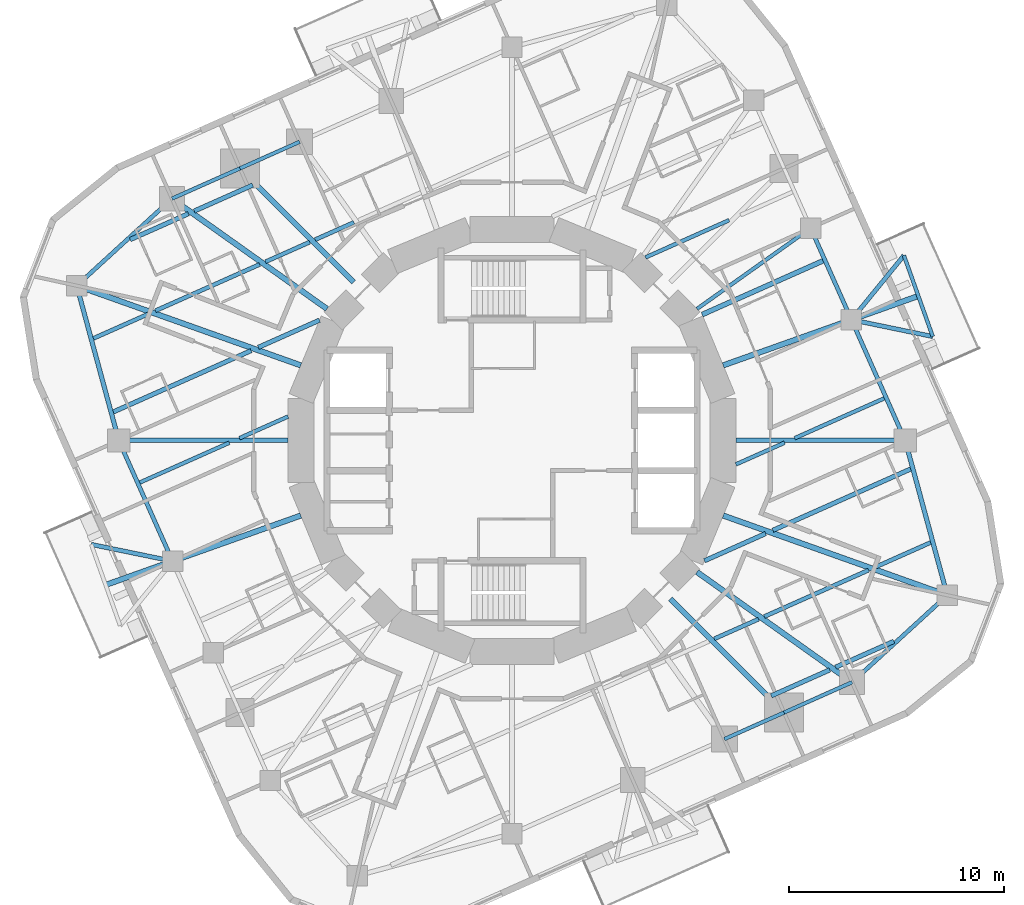
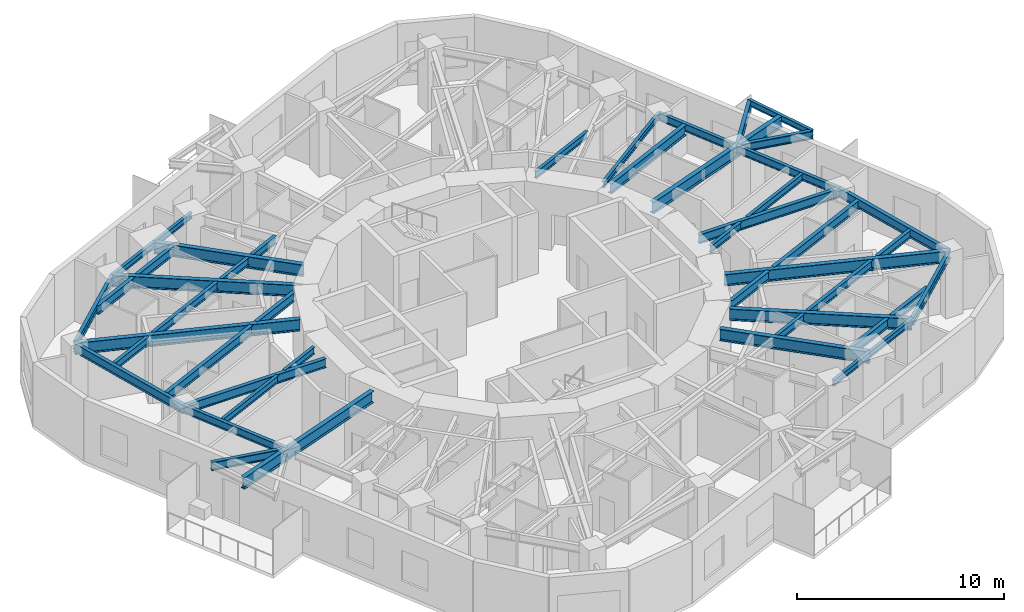
# One storey, part 2 of 12: 47 beams.
"""IFC4 building model written with IfcOpenShell, lengths in metres."""

from ifc_helpers import new_model, si_unit, direction, frame, origin, origin_2d, place, context, subcontext, project, spatial, i_section, extrude, material, material_profile, profile_set, type_object, element, save


model = new_model("IFC4")

# Units and contexts
model_context = context("Model", 3, precision=1e-05, world=origin(), true_north=direction((0.0, 1.0)))
body_context = subcontext(model_context, "Body", "Model", "MODEL_VIEW")
ifc_project = project(units=[si_unit("LENGTHUNIT", "METRE"), si_unit("AREAUNIT", "SQUARE_METRE"), si_unit("VOLUMEUNIT", "CUBIC_METRE"), si_unit("PLANEANGLEUNIT", "RADIAN"), si_unit("MASSUNIT", "GRAM", prefix="KILO")], contexts=[model_context])

# Site, building, storey
site_placement = place(None, origin())
site = spatial("IfcSite", under=ifc_project, at=site_placement, CompositionType="ELEMENT")
building_placement = place(site_placement, origin())
building = spatial("IfcBuilding", under=site, at=building_placement, Name="Nakasero Lantern House", CompositionType="ELEMENT")
storey_placement = place(building_placement, frame((0.0, 0.0, 201.699951171875)))
storey = spatial("IfcBuildingStorey", under=building, at=storey_placement, Name="L49", CompositionType="ELEMENT", Elevation=201.699951171875)

# Beams
ifc_material_1 = material(Name="Steel S355", Category="steel")
ifc_material_profile_1 = material_profile(ifc_material_1, i_section(OverallWidth=0.199462890625, OverallDepth=0.491943359375, WebThickness=0.01806640625, FlangeThickness=0.031982421875, FilletRadius=0.01025390625, at=origin_2d()), Name="UB 457x191x161")
ifc_profile_set_1 = profile_set([ifc_material_profile_1], Name="Steel S355")
beam_type_1 = type_object("IfcBeamType", Name="Balcony splay beam UB 457x191x161", PredefinedType="BEAM", material=ifc_profile_set_1)
beam_1_placement = place(storey_placement, frame((15.781982421875, 5.611328125, 3.404052734375), z_axis=(0.632165712937, 0.774833215206, 0.0), x_axis=(-0.774833215206, 0.632165712937, 0.0)))
element("IfcBeam", 1, at=beam_1_placement, inside=storey, type_object=beam_type_1, Name="Balcony splay beam L50 B5-C04A", PredefinedType="BEAM", context=body_context, shape_type="SweptSolid", body=[
    extrude(i_section(OverallWidth=0.199462890625, OverallDepth=0.491943359375, WebThickness=0.01806640625, FlangeThickness=0.031982421875, FilletRadius=0.01025390625, at=origin_2d()), origin(), (0.0, 0.0, 1.0), 3.85888671875),
])
for number, where, z_axis, x_axis, name in (
    (2, (15.781982421875, 5.611328125, 3.404052734375), (0.979420272605, -0.201831438605, 0.0), (0.201831438605, 0.979420272605, 0.0), "Balcony splay beam L50 B5-C04B"),
    (3, (-15.781982421875, -5.611328125, 3.404052734375), (-0.979420272605, 0.201831438605, 0.0), (-0.201831438605, -0.979420272605, 0.0), "Balcony splay beam L50 B5-C16B"),
):
    element("IfcBeam", number, at=place(storey_placement, frame(where, z_axis=z_axis, x_axis=x_axis)), inside=storey, type_object=beam_type_1, Name=name, PredefinedType="BEAM", context=body_context, shape_type="SweptSolid", body=[
        extrude(i_section(OverallWidth=0.199462890625, OverallDepth=0.491943359375, WebThickness=0.01806640625, FlangeThickness=0.031982421875, FilletRadius=0.01025390625, at=origin_2d()), origin(), (0.0, 0.0, 1.0), 3.858642578125),
    ])
ifc_material_2 = material(Name="Steel S355", Category="steel")
ifc_material_profile_2 = material_profile(ifc_material_2, i_section(OverallWidth=0.17138671875, OverallDepth=0.35498046875, WebThickness=0.00732421875, FlangeThickness=0.011474609375, FilletRadius=0.01025390625, at=origin_2d()), Name="UB 356x171x51")
ifc_profile_set_2 = profile_set([ifc_material_profile_2], Name="Steel S355")
beam_type_2 = type_object("IfcBeamType", Name="Balcony tie beam UB 356x171x51", PredefinedType="BEAM", material=ifc_profile_set_2)
beam_2_placement = place(storey_placement, frame((18.221435546875, 8.601318359375, 3.47265625), z_axis=(0.334971134582, -0.94222839004, 0.0), x_axis=(0.94222839004, 0.334971134582, 0.0)))
element("IfcBeam", 4, at=beam_2_placement, inside=storey, type_object=beam_type_2, Name="Balcony tie beam L50 B5-C04", PredefinedType="BEAM", context=body_context, shape_type="SweptSolid", body=[
    extrude(i_section(OverallWidth=0.17138671875, OverallDepth=0.35498046875, WebThickness=0.00732421875, FlangeThickness=0.011474609375, FilletRadius=0.01025390625, at=origin_2d()), origin(), (0.0, 0.0, 1.0), 4.0),
])
ifc_material_3 = material(Name="Steel S355", Category="steel")
ifc_material_profile_3 = material_profile(ifc_material_3, i_section(OverallWidth=0.177978515625, OverallDepth=0.406494140625, WebThickness=0.0078125, FlangeThickness=0.0126953125, FilletRadius=0.01025390625, at=origin_2d()), Name="UB 406x178x60")
ifc_profile_set_3 = profile_set([ifc_material_profile_3], Name="Steel S355")
beam_type_3 = type_object("IfcBeamType", Name="Infill beam UB 406x178x60", PredefinedType="JOIST", material=ifc_profile_set_3)
beam_3_placement = place(storey_placement, frame((10.407958984375, -1.113037109375, 3.44677734375), z_axis=(0.913531019811, 0.406769069427, 0.0), x_axis=(-0.406769069427, 0.913531019811, 0.0)))
element("IfcBeam", 5, at=beam_3_placement, inside=storey, type_object=beam_type_3, Name="Infill beam L50 06.3", PredefinedType="JOIST", context=body_context, shape_type="SweptSolid", body=[
    extrude(i_section(OverallWidth=0.177978515625, OverallDepth=0.406494140625, WebThickness=0.0078125, FlangeThickness=0.0126953125, FilletRadius=0.01025390625, at=origin_2d()), origin(), (0.0, 0.0, 1.0), 2.478271484375),
])
for number, where, z_axis, x_axis, name in (
    (6, (13.1435546875, 0.10498046875, 3.44677734375), (0.913537236337, 0.406755107929, 0.0), (-0.406755107929, 0.913537236337, 0.0), "Infill beam L50 06.4"),
    (7, (-17.30419921875, -1.95751953125, 3.44677734375), (0.913537236337, 0.406755107929, 0.0), (-0.406755107929, 0.913537236337, 0.0), "Infill beam L50 09.1"),
):
    element("IfcBeam", number, at=place(storey_placement, frame(where, z_axis=z_axis, x_axis=x_axis)), inside=storey, type_object=beam_type_3, Name=name, PredefinedType="JOIST", context=body_context, shape_type="SweptSolid", body=[
        extrude(i_section(OverallWidth=0.177978515625, OverallDepth=0.406494140625, WebThickness=0.0078125, FlangeThickness=0.0126953125, FilletRadius=0.01025390625, at=origin_2d()), origin(), (0.0, 0.0, 1.0), 4.554443359375),
    ])
beam_4_placement = place(storey_placement, frame((-12.671875, 0.10498046875, 3.44677734375), z_axis=(0.913531019811, 0.406769069427, 0.0), x_axis=(-0.406769069427, 0.913531019811, 0.0)))
element("IfcBeam", 8, at=beam_4_placement, inside=storey, type_object=beam_type_3, Name="Infill beam L50 09.2", PredefinedType="JOIST", context=body_context, shape_type="SweptSolid", body=[
    extrude(i_section(OverallWidth=0.177978515625, OverallDepth=0.406494140625, WebThickness=0.0078125, FlangeThickness=0.0126953125, FilletRadius=0.01025390625, at=origin_2d()), origin(), (0.0, 0.0, 1.0), 2.478271484375),
])
beam_5_placement = place(storey_placement, frame((6.2080078125, 8.5107421875, 3.44677734375), z_axis=(0.91354134882, 0.406745871517, 0.0), x_axis=(-0.406745871517, 0.91354134882, 0.0)))
element("IfcBeam", 9, at=beam_5_placement, inside=storey, type_object=beam_type_3, Name="Infill beam L50 09.3", PredefinedType="JOIST", context=body_context, shape_type="SweptSolid", body=[
    extrude(i_section(OverallWidth=0.177978515625, OverallDepth=0.406494140625, WebThickness=0.0078125, FlangeThickness=0.0126953125, FilletRadius=0.01025390625, at=origin_2d()), origin(), (0.0, 0.0, 1.0), 4.250732421875),
])
ifc_material_4 = material(Name="Steel S355", Category="steel")
ifc_material_profile_4 = material_profile(ifc_material_4, i_section(OverallWidth=0.18994140625, OverallDepth=0.453369140625, WebThickness=0.008544921875, FlangeThickness=0.0126953125, FilletRadius=0.01025390625, at=origin_2d()), Name="UB 457x191x67")
ifc_profile_set_4 = profile_set([ifc_material_profile_4], Name="Steel S355")
beam_type_4 = type_object("IfcBeamType", Name="Infill beam UB 457x191x67", PredefinedType="JOIST", material=ifc_profile_set_4)
beam_6_placement = place(storey_placement, frame((9.403564453125, -9.22265625, 3.42333984375), z_axis=(0.913516376313, 0.406801954529, 0.0), x_axis=(-0.406801954529, 0.913516376313, 0.0)))
element("IfcBeam", 10, at=beam_6_placement, inside=storey, type_object=beam_type_4, Name="Infill beam L50 04.6", PredefinedType="JOIST", context=body_context, shape_type="SweptSolid", body=[
    extrude(i_section(OverallWidth=0.18994140625, OverallDepth=0.453369140625, WebThickness=0.008544921875, FlangeThickness=0.0126953125, FilletRadius=0.01025390625, at=origin_2d()), origin(), (0.0, 0.0, 1.0), 2.2529296875),
])
beam_7_placement = place(storey_placement, frame((11.73095703125, -8.186279296875, 3.42333984375), z_axis=(0.913558956665, 0.406706322421, 0.0), x_axis=(-0.406706322421, 0.913558956665, 0.0)))
element("IfcBeam", 11, at=beam_7_placement, inside=storey, type_object=beam_type_4, Name="Infill beam L50 04.7", PredefinedType="JOIST", context=body_context, shape_type="SweptSolid", body=[
    extrude(i_section(OverallWidth=0.18994140625, OverallDepth=0.453369140625, WebThickness=0.008544921875, FlangeThickness=0.0126953125, FilletRadius=0.01025390625, at=origin_2d()), origin(), (0.0, 0.0, 1.0), 5.3046875),
])
beam_8_placement = place(storey_placement, frame((16.913330078125, -5.87890625, 3.42333984375), z_axis=(0.913544199752, 0.406739468332, 0.0), x_axis=(-0.406739468332, 0.913544199752, 0.0)))
element("IfcBeam", 12, at=beam_8_placement, inside=storey, type_object=beam_type_4, Name="Infill beam L50 04.8", PredefinedType="JOIST", context=body_context, shape_type="SweptSolid", body=[
    extrude(i_section(OverallWidth=0.18994140625, OverallDepth=0.453369140625, WebThickness=0.008544921875, FlangeThickness=0.0126953125, FilletRadius=0.01025390625, at=origin_2d()), origin(), (0.0, 0.0, 1.0), 2.788818359375),
])
beam_9_placement = place(storey_placement, frame((-19.46142578125, 4.744384765625, 3.42333984375), z_axis=(0.913540637242, 0.4067474697, 0.0), x_axis=(-0.4067474697, 0.913540637242, 0.0)))
element("IfcBeam", 13, at=beam_9_placement, inside=storey, type_object=beam_type_4, Name="Infill beam L50 11.1", PredefinedType="JOIST", context=body_context, shape_type="SweptSolid", body=[
    extrude(i_section(OverallWidth=0.18994140625, OverallDepth=0.453369140625, WebThickness=0.008544921875, FlangeThickness=0.0126953125, FilletRadius=0.01025390625, at=origin_2d()), origin(), (0.0, 0.0, 1.0), 2.789306640625),
])
beam_10_placement = place(storey_placement, frame((-16.5771484375, 6.02880859375, 3.42333984375), z_axis=(0.913558956665, 0.406706322421, 0.0), x_axis=(-0.406706322421, 0.913558956665, 0.0)))
element("IfcBeam", 14, at=beam_10_placement, inside=storey, type_object=beam_type_4, Name="Infill beam L50 11.2", PredefinedType="JOIST", context=body_context, shape_type="SweptSolid", body=[
    extrude(i_section(OverallWidth=0.18994140625, OverallDepth=0.453369140625, WebThickness=0.008544921875, FlangeThickness=0.0126953125, FilletRadius=0.01025390625, at=origin_2d()), origin(), (0.0, 0.0, 1.0), 5.3046875),
])
beam_11_placement = place(storey_placement, frame((-11.461669921875, 8.30615234375, 3.42333984375), z_axis=(0.913516376313, 0.406801954529, 0.0), x_axis=(-0.406801954529, 0.913516376313, 0.0)))
element("IfcBeam", 15, at=beam_11_placement, inside=storey, type_object=beam_type_4, Name="Infill beam L50 11.3", PredefinedType="JOIST", context=body_context, shape_type="SweptSolid", body=[
    extrude(i_section(OverallWidth=0.18994140625, OverallDepth=0.453369140625, WebThickness=0.008544921875, FlangeThickness=0.0126953125, FilletRadius=0.01025390625, at=origin_2d()), origin(), (0.0, 0.0, 1.0), 2.2529296875),
])
beam_12_placement = place(storey_placement, frame((-9.153076171875, 9.333984375, 3.42333984375), z_axis=(0.913536028639, 0.406757820304, 0.0), x_axis=(-0.406757820304, 0.913536028639, 0.0)))
element("IfcBeam", 16, at=beam_12_placement, inside=storey, type_object=beam_type_4, Name="Infill beam L50 11.4", PredefinedType="JOIST", context=body_context, shape_type="SweptSolid", body=[
    extrude(i_section(OverallWidth=0.18994140625, OverallDepth=0.453369140625, WebThickness=0.008544921875, FlangeThickness=0.0126953125, FilletRadius=0.01025390625, at=origin_2d()), origin(), (0.0, 0.0, 1.0), 1.974609375),
])
ifc_material_5 = material(Name="Steel S355", Category="steel")
ifc_material_profile_5 = material_profile(ifc_material_5, i_section(OverallWidth=0.2099609375, OverallDepth=0.53662109375, WebThickness=0.0107421875, FlangeThickness=0.017333984375, FilletRadius=0.0126953125, at=origin_2d()), Name="UB 533x210x101")
ifc_profile_set_5 = profile_set([ifc_material_profile_5], Name="Steel S355")
beam_type_5 = type_object("IfcBeamType", Name="Infill beam UB 533x210x101", PredefinedType="JOIST", material=ifc_profile_set_5)
beam_13_placement = place(storey_placement, frame((12.054443359375, -11.87353515625, 3.381591796875), z_axis=(0.913551039628, 0.406724105501, 0.0), x_axis=(-0.406724105501, 0.913551039628, 0.0)))
element("IfcBeam", 17, at=beam_13_placement, inside=storey, type_object=beam_type_5, Name="Infill beam L50 03.2", PredefinedType="JOIST", context=body_context, shape_type="SweptSolid", body=[
    extrude(i_section(OverallWidth=0.2099609375, OverallDepth=0.53662109375, WebThickness=0.0107421875, FlangeThickness=0.017333984375, FilletRadius=0.0126953125, at=origin_2d()), origin(), (0.0, 0.0, 1.0), 2.977783203125),
])
for number, where, z_axis, x_axis, name in (
    (18, (15.044189453125, -10.54248046875, 3.381591796875), (0.91353278913, 0.406765095827, 0.0), (-0.406765095827, 0.91353278913, 0.0), "Infill beam L50 03.3"),
    (19, (-17.751708984375, 9.3369140625, 3.381591796875), (0.91353278913, 0.406765095827, 0.0), (-0.406765095827, 0.91353278913, 0.0), "Infill beam L50 12.1"),
):
    element("IfcBeam", number, at=place(storey_placement, frame(where, z_axis=z_axis, x_axis=x_axis)), inside=storey, type_object=beam_type_5, Name=name, PredefinedType="JOIST", context=body_context, shape_type="SweptSolid", body=[
        extrude(i_section(OverallWidth=0.2099609375, OverallDepth=0.53662109375, WebThickness=0.0107421875, FlangeThickness=0.017333984375, FilletRadius=0.0126953125, at=origin_2d()), origin(), (0.0, 0.0, 1.0), 2.9638671875),
    ])
beam_14_placement = place(storey_placement, frame((-14.77490234375, 10.662353515625, 3.381591796875), z_axis=(0.913551039628, 0.406724105501, 0.0), x_axis=(-0.406724105501, 0.913551039628, 0.0)))
element("IfcBeam", 20, at=beam_14_placement, inside=storey, type_object=beam_type_5, Name="Infill beam L50 12.2", PredefinedType="JOIST", context=body_context, shape_type="SweptSolid", body=[
    extrude(i_section(OverallWidth=0.2099609375, OverallDepth=0.53662109375, WebThickness=0.0107421875, FlangeThickness=0.017333984375, FilletRadius=0.0126953125, at=origin_2d()), origin(), (0.0, 0.0, 1.0), 2.977783203125),
])
ifc_material_6 = material(Name="Steel S355", Category="steel")
ifc_material_profile_6 = material_profile(ifc_material_6, i_section(OverallWidth=0.208740234375, OverallDepth=0.5283203125, WebThickness=0.009521484375, FlangeThickness=0.01318359375, FilletRadius=0.0126953125, at=origin_2d()), Name="UB 533x210x82")
ifc_profile_set_6 = profile_set([ifc_material_profile_6], Name="Steel S355")
beam_type_6 = type_object("IfcBeamType", Name="Infill beam UB 533x210x82", PredefinedType="JOIST", material=ifc_profile_set_6)
beam_15_placement = place(storey_placement, frame((8.9482421875, -5.593994140625, 3.385986328125), z_axis=(0.913555928833, 0.406713123582, 0.0), x_axis=(-0.406713123582, 0.913555928833, 0.0)))
element("IfcBeam", 21, at=beam_15_placement, inside=storey, type_object=beam_type_6, Name="Infill beam L50 05.4", PredefinedType="JOIST", context=body_context, shape_type="SweptSolid", body=[
    extrude(i_section(OverallWidth=0.208740234375, OverallDepth=0.5283203125, WebThickness=0.009521484375, FlangeThickness=0.01318359375, FilletRadius=0.0126953125, at=origin_2d()), origin(), (0.0, 0.0, 1.0), 3.113525390625),
])
beam_16_placement = place(storey_placement, frame((12.12890625, -4.177978515625, 3.385986328125), z_axis=(0.913538442343, 0.406752399332, 0.0), x_axis=(-0.406752399332, 0.913538442343, 0.0)))
element("IfcBeam", 22, at=beam_16_placement, inside=storey, type_object=beam_type_6, Name="Infill beam L50 05.5", PredefinedType="JOIST", context=body_context, shape_type="SweptSolid", body=[
    extrude(i_section(OverallWidth=0.208740234375, OverallDepth=0.5283203125, WebThickness=0.009521484375, FlangeThickness=0.01318359375, FilletRadius=0.0126953125, at=origin_2d()), origin(), (0.0, 0.0, 1.0), 7.00927734375),
])
beam_17_placement = place(storey_placement, frame((-18.53271484375, 1.32666015625, 3.385986328125), z_axis=(0.913537025225, 0.406755582067, 0.0), x_axis=(-0.406755582067, 0.913537025225, 0.0)))
element("IfcBeam", 23, at=beam_17_placement, inside=storey, type_object=beam_type_6, Name="Infill beam L50 10.1", PredefinedType="JOIST", context=body_context, shape_type="SweptSolid", body=[
    extrude(i_section(OverallWidth=0.208740234375, OverallDepth=0.5283203125, WebThickness=0.009521484375, FlangeThickness=0.01318359375, FilletRadius=0.0126953125, at=origin_2d()), origin(), (0.0, 0.0, 1.0), 7.010009765625),
])
beam_18_placement = place(storey_placement, frame((-11.792724609375, 4.32763671875, 3.385986328125), z_axis=(0.913555928833, 0.406713123582, 0.0), x_axis=(-0.406713123582, 0.913555928833, 0.0)))
element("IfcBeam", 24, at=beam_18_placement, inside=storey, type_object=beam_type_6, Name="Infill beam L50 10.2", PredefinedType="JOIST", context=body_context, shape_type="SweptSolid", body=[
    extrude(i_section(OverallWidth=0.208740234375, OverallDepth=0.5283203125, WebThickness=0.009521484375, FlangeThickness=0.01318359375, FilletRadius=0.0126953125, at=origin_2d()), origin(), (0.0, 0.0, 1.0), 3.113525390625),
])
ifc_material_7 = material(Name="Steel S355", Category="steel")
ifc_material_profile_7 = material_profile(ifc_material_7, i_section(OverallWidth=0.22900390625, OverallDepth=0.6123046875, WebThickness=0.011962890625, FlangeThickness=0.01953125, FilletRadius=0.0126953125, at=origin_2d()), Name="UB 610x229x125")
ifc_profile_set_7 = profile_set([ifc_material_profile_7], Name="Steel S355")
beam_type_7 = type_object("IfcBeamType", Name="Infill beam UB 610x229x125", PredefinedType="JOIST", material=ifc_profile_set_7)
beam_19_placement = place(storey_placement, frame((8.84130859375, 5.85205078125, 3.343994140625), z_axis=(0.913552627294, 0.406720539393, 0.0), x_axis=(-0.406720539393, 0.913552627294, 0.0)))
element("IfcBeam", 25, at=beam_19_placement, inside=storey, type_object=beam_type_7, Name="Infill beam L50 08.1", PredefinedType="JOIST", context=body_context, shape_type="SweptSolid", body=[
    extrude(i_section(OverallWidth=0.22900390625, OverallDepth=0.6123046875, WebThickness=0.011962890625, FlangeThickness=0.01953125, FilletRadius=0.0126953125, at=origin_2d()), origin(), (0.0, 0.0, 1.0), 6.14794921875),
])
ifc_material_8 = material(Name="Steel S355", Category="steel")
ifc_material_profile_8 = material_profile(ifc_material_8, i_section(OverallWidth=0.17138671875, OverallDepth=0.35498046875, WebThickness=0.00732421875, FlangeThickness=0.011474609375, FilletRadius=0.01025390625, at=origin_2d()), Name="UB 356x171x51")
ifc_profile_set_8 = profile_set([ifc_material_profile_8], Name="Steel S355")
beam_type_8 = type_object("IfcBeamType", Name="Primary beam UB 356x171x51, span 6 to 9 m", PredefinedType="BEAM", material=ifc_profile_set_8)
beam_20_placement = place(storey_placement, frame((13.884521484375, 9.87353515625, 3.47265625), z_axis=(-0.8149430702, -0.57954101868, 0.0), x_axis=(0.57954101868, -0.8149430702, 0.0)))
element("IfcBeam", 26, at=beam_20_placement, inside=storey, type_object=beam_type_8, Name="Primary beam L50 B5-C05", PredefinedType="BEAM", context=body_context, shape_type="SweptSolid", body=[
    extrude(i_section(OverallWidth=0.17138671875, OverallDepth=0.35498046875, WebThickness=0.00732421875, FlangeThickness=0.011474609375, FilletRadius=0.01025390625, at=origin_2d()), origin(), (0.0, 0.0, 1.0), 6.48193359375),
])
ifc_material_9 = material(Name="Steel S355", Category="steel")
ifc_material_profile_9 = material_profile(ifc_material_9, i_section(OverallWidth=0.2099609375, OverallDepth=0.53662109375, WebThickness=0.0107421875, FlangeThickness=0.017333984375, FilletRadius=0.0126953125, at=origin_2d()), Name="UB 533x210x101")
ifc_profile_set_9 = profile_set([ifc_material_profile_9], Name="Steel S355")
beam_type_9 = type_object("IfcBeamType", Name="Primary beam UB 533x210x101, span 6 to 9 m", PredefinedType="BEAM", material=ifc_profile_set_9)
for number, where, z_axis, x_axis, name in (
    (27, (18.280517578125, 0.0, 3.381591796875), (-1.0, 0.0, 0.0), (0.0, -1.0, 0.0), "Primary beam L50 B5-C03"),
    (28, (-18.280517578125, 0.0, 3.381591796875), (1.0, 0.0, 0.0), (0.0, 1.0, 0.0), "Primary beam L50 B5-C15"),
):
    element("IfcBeam", number, at=place(storey_placement, frame(where, z_axis=z_axis, x_axis=x_axis)), inside=storey, type_object=beam_type_9, Name=name, PredefinedType="BEAM", context=body_context, shape_type="SweptSolid", body=[
        extrude(i_section(OverallWidth=0.2099609375, OverallDepth=0.53662109375, WebThickness=0.0107421875, FlangeThickness=0.017333984375, FilletRadius=0.0126953125, at=origin_2d()), origin(), (0.0, 0.0, 1.0), 7.87255859375),
    ])
ifc_material_10 = material(Name="Steel S355", Category="steel")
ifc_material_profile_10 = material_profile(ifc_material_10, i_section(OverallWidth=0.253662109375, OverallDepth=0.68359375, WebThickness=0.012451171875, FlangeThickness=0.01904296875, FilletRadius=0.01513671875, at=origin_2d()), Name="UB 686x254x140")
ifc_profile_set_10 = profile_set([ifc_material_profile_10], Name="Steel S355")
beam_type_10 = type_object("IfcBeamType", Name="Primary beam UB 686x254x140, span 6 to 9 m", PredefinedType="BEAM", material=ifc_profile_set_10)
beam_21_placement = place(storey_placement, frame((15.808837890625, -11.241943359375, 3.308349609375), z_axis=(-0.814946052543, 0.579536824926, 0.0), x_axis=(-0.579536824926, -0.814946052543, 0.0)))
element("IfcBeam", 29, at=beam_21_placement, inside=storey, type_object=beam_type_10, Name="Primary beam L50 B5-C01", PredefinedType="BEAM", context=body_context, shape_type="SweptSolid", body=[
    extrude(i_section(OverallWidth=0.253662109375, OverallDepth=0.68359375, WebThickness=0.012451171875, FlangeThickness=0.01904296875, FilletRadius=0.01513671875, at=origin_2d()), origin(), (0.0, 0.0, 1.0), 8.84326171875),
])
beam_22_placement = place(storey_placement, frame((18.891357421875, 6.717041015625, 3.308349609375), z_axis=(-0.942207397814, -0.335030177005, 0.0), x_axis=(0.335030177005, -0.942207397814, 0.0)))
element("IfcBeam", 30, at=beam_22_placement, inside=storey, type_object=beam_type_10, Name="Primary beam L50 B5-C04", PredefinedType="BEAM", context=body_context, shape_type="SweptSolid", body=[
    extrude(i_section(OverallWidth=0.253662109375, OverallDepth=0.68359375, WebThickness=0.012451171875, FlangeThickness=0.01904296875, FilletRadius=0.01513671875, at=origin_2d()), origin(), (0.0, 0.0, 1.0), 9.62841796875),
])
beam_23_placement = place(storey_placement, frame((-15.808837890625, 11.241943359375, 3.308349609375), z_axis=(0.814946052543, -0.579536824926, 0.0), x_axis=(0.579536824926, 0.814946052543, 0.0)))
element("IfcBeam", 31, at=beam_23_placement, inside=storey, type_object=beam_type_10, Name="Primary beam L50 B5-C13", PredefinedType="BEAM", context=body_context, shape_type="SweptSolid", body=[
    extrude(i_section(OverallWidth=0.253662109375, OverallDepth=0.68359375, WebThickness=0.012451171875, FlangeThickness=0.01904296875, FilletRadius=0.01513671875, at=origin_2d()), origin(), (0.0, 0.0, 1.0), 8.84326171875),
])
beam_24_placement = place(storey_placement, frame((-18.891357421875, -6.717041015625, 3.308349609375), z_axis=(0.942207397814, 0.335030177005, 0.0), x_axis=(-0.335030177005, 0.942207397814, 0.0)))
element("IfcBeam", 32, at=beam_24_placement, inside=storey, type_object=beam_type_10, Name="Primary beam L50 B5-C16", PredefinedType="BEAM", context=body_context, shape_type="SweptSolid", body=[
    extrude(i_section(OverallWidth=0.253662109375, OverallDepth=0.68359375, WebThickness=0.012451171875, FlangeThickness=0.01904296875, FilletRadius=0.01513671875, at=origin_2d()), origin(), (0.0, 0.0, 1.0), 9.62841796875),
])
ifc_material_11 = material(Name="Steel S355", Category="steel")
ifc_material_profile_11 = material_profile(ifc_material_11, i_section(OverallWidth=0.253662109375, OverallDepth=0.68359375, WebThickness=0.012451171875, FlangeThickness=0.01904296875, FilletRadius=0.01513671875, at=origin_2d()), Name="UB 686x254x140")
ifc_profile_set_11 = profile_set([ifc_material_profile_11], Name="Steel S355")
beam_type_11 = type_object("IfcBeamType", Name="Primary beam UB 686x254x140, span 9 to 12 m", PredefinedType="BEAM", material=ifc_profile_set_11)
for number, where, z_axis, x_axis, name in (
    (33, (20.2353515625, -7.19482421875, 3.308349609375), (-0.942210662535, 0.335020995468, 0.0), (-0.335020995468, -0.942210662535, 0.0), "Primary beam L50 B5-C02"),
    (34, (-20.2353515625, 7.19482421875, 3.308349609375), (0.942210662535, -0.335020995468, 0.0), (0.335020995468, 0.942210662535, 0.0), "Primary beam L50 B5-C14"),
):
    element("IfcBeam", number, at=place(storey_placement, frame(where, z_axis=z_axis, x_axis=x_axis)), inside=storey, type_object=beam_type_11, Name=name, PredefinedType="BEAM", context=body_context, shape_type="SweptSolid", body=[
        extrude(i_section(OverallWidth=0.253662109375, OverallDepth=0.68359375, WebThickness=0.012451171875, FlangeThickness=0.01904296875, FilletRadius=0.01513671875, at=origin_2d()), origin(), (0.0, 0.0, 1.0), 11.054931640625),
    ])
ifc_material_12 = material(Name="Steel S355", Category="steel")
ifc_material_profile_12 = material_profile(ifc_material_12, i_section(OverallWidth=0.255859375, OverallDepth=0.69287109375, WebThickness=0.014404296875, FlangeThickness=0.023681640625, FilletRadius=0.01513671875, at=origin_2d()), Name="UB 686x254x170")
ifc_profile_set_12 = profile_set([ifc_material_profile_12], Name="Steel S355")
beam_type_12 = type_object("IfcBeamType", Name="Primary beam UB 686x254x170, span 6 to 9 m", PredefinedType="BEAM", material=ifc_profile_set_12)
for number, where, z_axis, x_axis, name in (
    (35, (-12.64892578125, 12.64892578125, 3.3037109375), (0.707106781187, -0.707106781187, 0.0), (0.707106781187, 0.707106781187, 0.0), "Primary beam L50 B5-C12"),
    (36, (12.64892578125, -12.64892578125, 3.3037109375), (-0.707106781187, 0.707106781187, 0.0), (-0.707106781187, -0.707106781187, 0.0), "Primary beam L50 B5-C24"),
):
    element("IfcBeam", number, at=place(storey_placement, frame(where, z_axis=z_axis, x_axis=x_axis)), inside=storey, type_object=beam_type_12, Name=name, PredefinedType="BEAM", context=body_context, shape_type="SweptSolid", body=[
        extrude(i_section(OverallWidth=0.255859375, OverallDepth=0.69287109375, WebThickness=0.014404296875, FlangeThickness=0.023681640625, FilletRadius=0.01513671875, at=origin_2d()), origin(), (0.0, 0.0, 1.0), 7.48046875),
    ])
ifc_material_13 = material(Name="Steel S355", Category="steel")
ifc_material_profile_13 = material_profile(ifc_material_13, i_section(OverallWidth=0.17138671875, OverallDepth=0.35498046875, WebThickness=0.00732421875, FlangeThickness=0.011474609375, FilletRadius=0.01025390625, at=origin_2d()), Name="UB 356x171x51")
ifc_profile_set_13 = profile_set([ifc_material_profile_13], Name="Steel S355")
beam_type_13 = type_object("IfcBeamType", Name="Ring beam UB 356x171x51", PredefinedType="BEAM", material=ifc_profile_set_13)
beam_25_placement = place(storey_placement, frame((-9.87353515625, 13.884521484375, 3.47265625), z_axis=(-0.913556197925, -0.40671251915, 0.0), x_axis=(0.40671251915, -0.913556197925, 0.0)))
element("IfcBeam", 37, at=beam_25_placement, inside=storey, type_object=beam_type_13, Name="Ring beam L50 B5-C11", PredefinedType="BEAM", context=body_context, shape_type="SweptSolid", body=[
    extrude(i_section(OverallWidth=0.17138671875, OverallDepth=0.35498046875, WebThickness=0.00732421875, FlangeThickness=0.011474609375, FilletRadius=0.01025390625, at=origin_2d()), origin(), (0.0, 0.0, 1.0), 3.0380859375),
])
beam_26_placement = place(storey_placement, frame((-12.64892578125, 12.64892578125, 3.47265625), z_axis=(-0.913534832457, -0.406760506795, 0.0), x_axis=(0.406760506795, -0.913534832457, 0.0)))
element("IfcBeam", 38, at=beam_26_placement, inside=storey, type_object=beam_type_13, Name="Ring beam L50 B5-C12", PredefinedType="BEAM", context=body_context, shape_type="SweptSolid", body=[
    extrude(i_section(OverallWidth=0.17138671875, OverallDepth=0.35498046875, WebThickness=0.00732421875, FlangeThickness=0.011474609375, FilletRadius=0.01025390625, at=origin_2d()), origin(), (0.0, 0.0, 1.0), 3.458984375),
])
beam_27_placement = place(storey_placement, frame((9.87353515625, -13.884521484375, 3.47265625), z_axis=(0.913556197925, 0.40671251915, 0.0), x_axis=(-0.40671251915, 0.913556197925, 0.0)))
element("IfcBeam", 39, at=beam_27_placement, inside=storey, type_object=beam_type_13, Name="Ring beam L50 B5-C23", PredefinedType="BEAM", context=body_context, shape_type="SweptSolid", body=[
    extrude(i_section(OverallWidth=0.17138671875, OverallDepth=0.35498046875, WebThickness=0.00732421875, FlangeThickness=0.011474609375, FilletRadius=0.01025390625, at=origin_2d()), origin(), (0.0, 0.0, 1.0), 3.0380859375),
])
beam_28_placement = place(storey_placement, frame((12.64892578125, -12.64892578125, 3.47265625), z_axis=(0.913534832457, 0.406760506795, 0.0), x_axis=(-0.406760506795, 0.913534832457, 0.0)))
element("IfcBeam", 40, at=beam_28_placement, inside=storey, type_object=beam_type_13, Name="Ring beam L50 B5-C24", PredefinedType="BEAM", context=body_context, shape_type="SweptSolid", body=[
    extrude(i_section(OverallWidth=0.17138671875, OverallDepth=0.35498046875, WebThickness=0.00732421875, FlangeThickness=0.011474609375, FilletRadius=0.01025390625, at=origin_2d()), origin(), (0.0, 0.0, 1.0), 3.458984375),
])
ifc_material_14 = material(Name="Steel S355", Category="steel")
ifc_material_profile_14 = material_profile(ifc_material_14, i_section(OverallWidth=0.18994140625, OverallDepth=0.453369140625, WebThickness=0.008544921875, FlangeThickness=0.0126953125, FilletRadius=0.01025390625, at=origin_2d()), Name="UB 457x191x67")
ifc_profile_set_14 = profile_set([ifc_material_profile_14], Name="Steel S355")
beam_type_14 = type_object("IfcBeamType", Name="Ring beam UB 457x191x67", PredefinedType="BEAM", material=ifc_profile_set_14)
beam_29_placement = place(storey_placement, frame((15.808837890625, -11.241943359375, 3.42333984375), z_axis=(0.73802707447, 0.674771099966, 0.0), x_axis=(-0.674771099966, 0.73802707447, 0.0)))
element("IfcBeam", 41, at=beam_29_placement, inside=storey, type_object=beam_type_14, Name="Ring beam L50 B5-C01", PredefinedType="BEAM", context=body_context, shape_type="SweptSolid", body=[
    extrude(i_section(OverallWidth=0.18994140625, OverallDepth=0.453369140625, WebThickness=0.008544921875, FlangeThickness=0.0126953125, FilletRadius=0.01025390625, at=origin_2d()), origin(), (0.0, 0.0, 1.0), 5.997802734375),
])
beam_30_placement = place(storey_placement, frame((15.781982421875, 5.611328125, 3.42333984375), z_axis=(-0.406701600856, 0.913561058639, 0.0), x_axis=(-0.913561058639, -0.406701600856, 0.0)))
element("IfcBeam", 42, at=beam_30_placement, inside=storey, type_object=beam_type_14, Name="Ring beam L50 B5-C04", PredefinedType="BEAM", context=body_context, shape_type="SweptSolid", body=[
    extrude(i_section(OverallWidth=0.18994140625, OverallDepth=0.453369140625, WebThickness=0.008544921875, FlangeThickness=0.0126953125, FilletRadius=0.01025390625, at=origin_2d()), origin(), (0.0, 0.0, 1.0), 4.66552734375),
])
beam_31_placement = place(storey_placement, frame((-15.808837890625, 11.241943359375, 3.42333984375), z_axis=(-0.73802707447, -0.674771099966, 0.0), x_axis=(0.674771099966, -0.73802707447, 0.0)))
element("IfcBeam", 43, at=beam_31_placement, inside=storey, type_object=beam_type_14, Name="Ring beam L50 B5-C13", PredefinedType="BEAM", context=body_context, shape_type="SweptSolid", body=[
    extrude(i_section(OverallWidth=0.18994140625, OverallDepth=0.453369140625, WebThickness=0.008544921875, FlangeThickness=0.0126953125, FilletRadius=0.01025390625, at=origin_2d()), origin(), (0.0, 0.0, 1.0), 5.997802734375),
])
ifc_material_15 = material(Name="Steel S355", Category="steel")
ifc_material_profile_15 = material_profile(ifc_material_15, i_section(OverallWidth=0.19140625, OverallDepth=0.4599609375, WebThickness=0.010009765625, FlangeThickness=0.01611328125, FilletRadius=0.01025390625, at=origin_2d()), Name="UB 457x191x82")
ifc_profile_set_15 = profile_set([ifc_material_profile_15], Name="Steel S355")
beam_type_15 = type_object("IfcBeamType", Name="Ring beam UB 457x191x82", PredefinedType="BEAM", material=ifc_profile_set_15)
for number, where, z_axis, x_axis, name in (
    (44, (18.280517578125, 0.0, 3.420166015625), (-0.406765299215, 0.913532698569, 0.0), (-0.913532698569, -0.406765299215, 0.0), "Ring beam L50 B5-C03"),
    (45, (-18.280517578125, 0.0, 3.420166015625), (0.406765299215, -0.913532698569, 0.0), (0.913532698569, 0.406765299215, 0.0), "Ring beam L50 B5-C15"),
):
    element("IfcBeam", number, at=place(storey_placement, frame(where, z_axis=z_axis, x_axis=x_axis)), inside=storey, type_object=beam_type_15, Name=name, PredefinedType="BEAM", context=body_context, shape_type="SweptSolid", body=[
        extrude(i_section(OverallWidth=0.19140625, OverallDepth=0.4599609375, WebThickness=0.010009765625, FlangeThickness=0.01611328125, FilletRadius=0.01025390625, at=origin_2d()), origin(), (0.0, 0.0, 1.0), 6.142333984375),
    ])
ifc_material_16 = material(Name="Steel S355", Category="steel")
ifc_material_profile_16 = material_profile(ifc_material_16, i_section(OverallWidth=0.2099609375, OverallDepth=0.53662109375, WebThickness=0.0107421875, FlangeThickness=0.017333984375, FilletRadius=0.0126953125, at=origin_2d()), Name="UB 533x210x101")
ifc_profile_set_16 = profile_set([ifc_material_profile_16], Name="Steel S355")
beam_type_16 = type_object("IfcBeamType", Name="Ring beam UB 533x210x101", PredefinedType="BEAM", material=ifc_profile_set_16)
beam_32_placement = place(storey_placement, frame((20.2353515625, -7.19482421875, 3.381591796875), z_axis=(-0.26219461312, 0.965015017941, 0.0), x_axis=(-0.965015017941, -0.26219461312, 0.0)))
element("IfcBeam", 46, at=beam_32_placement, inside=storey, type_object=beam_type_16, Name="Ring beam L50 B5-C02", PredefinedType="BEAM", context=body_context, shape_type="SweptSolid", body=[
    extrude(i_section(OverallWidth=0.2099609375, OverallDepth=0.53662109375, WebThickness=0.0107421875, FlangeThickness=0.017333984375, FilletRadius=0.0126953125, at=origin_2d()), origin(), (0.0, 0.0, 1.0), 7.45556640625),
])
ifc_material_17 = material(Name="Steel S355", Category="steel")
ifc_material_profile_17 = material_profile(ifc_material_17, i_section(OverallWidth=0.208740234375, OverallDepth=0.5283203125, WebThickness=0.009521484375, FlangeThickness=0.01318359375, FilletRadius=0.0126953125, at=origin_2d()), Name="UB 533x210x82")
ifc_profile_set_17 = profile_set([ifc_material_profile_17], Name="Steel S355")
beam_type_17 = type_object("IfcBeamType", Name="Ring beam UB 533x210x82", PredefinedType="BEAM", material=ifc_profile_set_17)
beam_33_placement = place(storey_placement, frame((-20.2353515625, 7.19482421875, 3.385986328125), z_axis=(0.26219461312, -0.965015017941, 0.0), x_axis=(0.965015017941, 0.26219461312, 0.0)))
element("IfcBeam", 47, at=beam_33_placement, inside=storey, type_object=beam_type_17, Name="Ring beam L50 B5-C14", PredefinedType="BEAM", context=body_context, shape_type="SweptSolid", body=[
    extrude(i_section(OverallWidth=0.208740234375, OverallDepth=0.5283203125, WebThickness=0.009521484375, FlangeThickness=0.01318359375, FilletRadius=0.0126953125, at=origin_2d()), origin(), (0.0, 0.0, 1.0), 7.45556640625),
])

save(model, "model.ifc")
